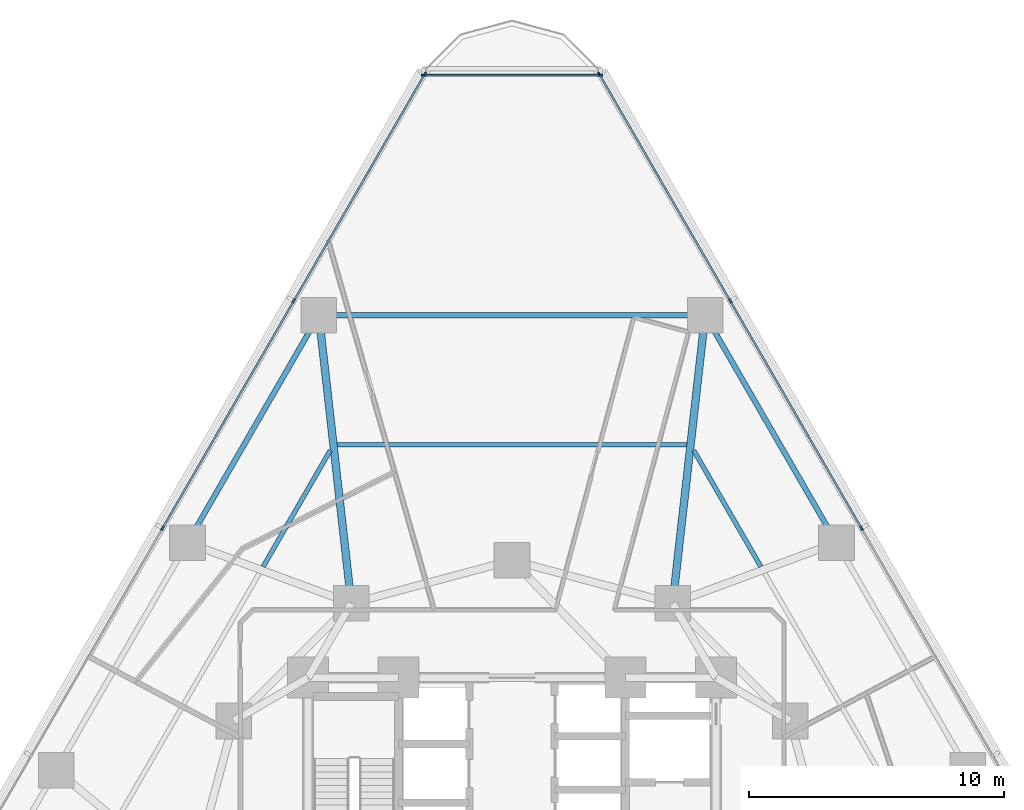
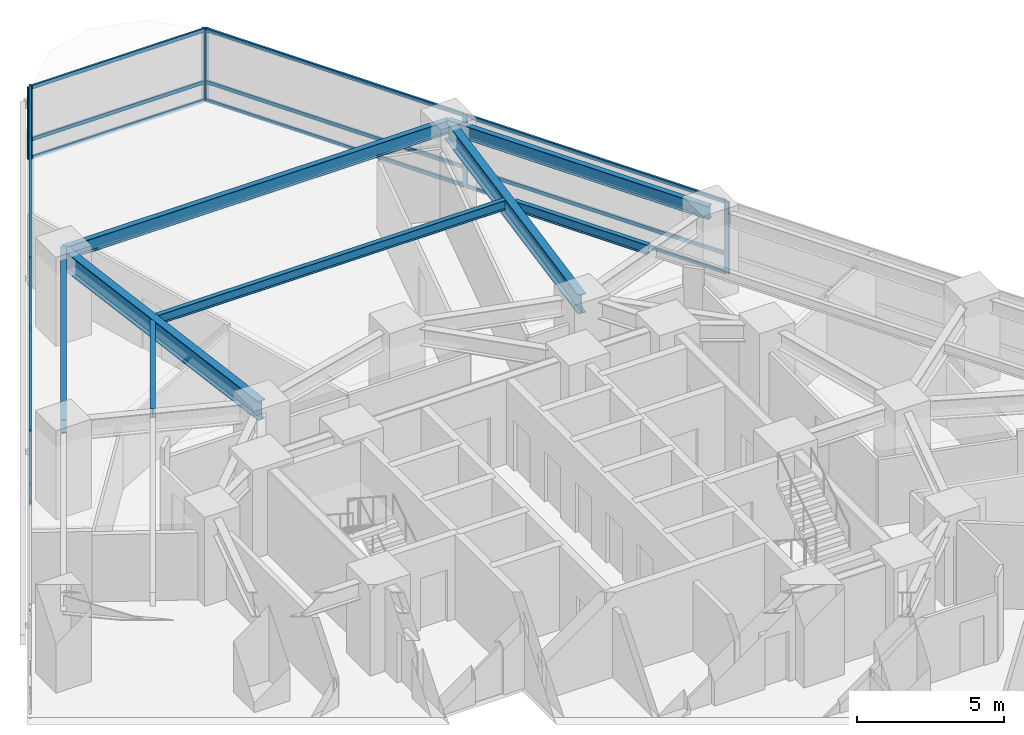
# One storey, part 6 of 16: 23 members, 8 beams, 3 elements without a shape of their own.
"""IFC4 building model written with IfcOpenShell, lengths in metres."""

from ifc_helpers import new_model, si_unit, direction, frame, origin, origin_2d, place, context, subcontext, project, spatial, rectangle, i_section, extrude, material, layer, layer_set, material_profile, profile_set, type_object, element, aggregate, save


model = new_model("IFC4")

# Units and contexts
model_context = context("Model", 3, precision=1e-05, world=origin(), true_north=direction((0.0, 1.0)))
body_context = subcontext(model_context, "Body", "Model", "MODEL_VIEW")
ifc_project = project(units=[si_unit("LENGTHUNIT", "METRE"), si_unit("AREAUNIT", "SQUARE_METRE"), si_unit("VOLUMEUNIT", "CUBIC_METRE"), si_unit("PLANEANGLEUNIT", "RADIAN"), si_unit("MASSUNIT", "GRAM", prefix="KILO")], contexts=[model_context])

# Site, building, storey
site_placement = place(None, origin())
site = spatial("IfcSite", under=ifc_project, at=site_placement, CompositionType="ELEMENT")
building_placement = place(site_placement, origin())
building = spatial("IfcBuilding", under=site, at=building_placement, Name="Terralouvre Media Tower", CompositionType="ELEMENT")
storey_placement = place(building_placement, frame((0.0, 0.0, 44.5)))
storey = spatial("IfcBuildingStorey", under=building, at=storey_placement, Name="L10", CompositionType="ELEMENT", Elevation=44.5)

# Beams
ifc_material_1 = material(Name="Structural steel S355J2", Category="steel")
ifc_material_profile_1 = material_profile(ifc_material_1, i_section(OverallWidth=0.179931640625, OverallDepth=0.39990234375, WebThickness=0.008544921875, FlangeThickness=0.013427734375, at=origin_2d()), Name="IPE 400")
ifc_profile_set_1 = profile_set([ifc_material_profile_1], Name="Structural steel S355J2")
beam_type_1 = type_object("IfcBeamType", Name="Composite Floor Joist J-IPE400 (IPE 400)", PredefinedType="JOIST", material=ifc_profile_set_1)
beam_1_placement = place(storey_placement, frame((9.758544921875, 12.351806640625, 3.300048828125), z_axis=(-0.499984733014, 0.866034218004, 0.0), x_axis=(-0.866034218004, -0.499984733014, 0.0)))
element("IfcBeam", 1, at=beam_1_placement, inside=storey, type_object=beam_type_1, Name="L10 Framing Beam JT-L10-08", PredefinedType="JOIST", context=body_context, shape_type="SweptSolid", body=[
    extrude(i_section(OverallWidth=0.179931640625, OverallDepth=0.39990234375, WebThickness=0.008544921875, FlangeThickness=0.013427734375, at=origin_2d()), origin(), (0.0, 0.0, 1.0), 5.264404296875),
])
beam_2_placement = place(storey_placement, frame((6.85107421875, 17.127685546875, 3.300048828125), z_axis=(-1.0, 0.0, 0.0), x_axis=(0.0, -1.0, 0.0)))
element("IfcBeam", 2, at=beam_2_placement, inside=storey, type_object=beam_type_1, Name="L10 Framing Beam JT-L10-09", PredefinedType="JOIST", context=body_context, shape_type="SweptSolid", body=[
    extrude(i_section(OverallWidth=0.179931640625, OverallDepth=0.39990234375, WebThickness=0.008544921875, FlangeThickness=0.013427734375, at=origin_2d()), origin(), (0.0, 0.0, 1.0), 13.7021484375),
])
beam_3_placement = place(storey_placement, frame((-7.12646484375, 16.910888671875, 3.300048828125), z_axis=(-0.499984733014, -0.866034218004, 0.0), x_axis=(0.866034218004, -0.499984733014, 0.0)))
element("IfcBeam", 3, at=beam_3_placement, inside=storey, type_object=beam_type_1, Name="L10 Framing Beam JT-L10-10", PredefinedType="JOIST", context=body_context, shape_type="SweptSolid", body=[
    extrude(i_section(OverallWidth=0.179931640625, OverallDepth=0.39990234375, WebThickness=0.008544921875, FlangeThickness=0.013427734375, at=origin_2d()), origin(), (0.0, 0.0, 1.0), 5.264404296875),
])

# Curtain wall, members
ifc_material_2 = material(Name="Low-iron laminated double glazing with solar-control coating", Category="glass")
ifc_layer_1 = layer(ifc_material_2, 0.1650390625, Name="Lower Media Tower Unitised Curtain Wall CW-02")
ifc_layer_set_1 = layer_set([ifc_layer_1], Name="Low-iron laminated double glazing with solar-control coating")
curtain_wall_type_1 = type_object("IfcCurtainWallType", Name="Lower Media Tower Unitised Curtain Wall CW-02", PredefinedType="NOTDEFINED", material=ifc_layer_set_1)
curtain_wall_1_placement = place(storey_placement, origin())
curtain_wall_1 = element("IfcCurtainWall", 4, at=curtain_wall_1_placement, inside=storey, type_object=curtain_wall_type_1, Name="L10 Facade Curtain Wall F1", PredefinedType="NOTDEFINED")
ifc_material_3 = material(Name="Anodised extruded aluminium 6063-T6", Category="aluminium")
ifc_material_profile_2 = material_profile(ifc_material_3, rectangle(XDim=0.074951171875, YDim=0.14990234375, at=origin_2d()), Name="ALU 75x150")
ifc_profile_set_2 = profile_set([ifc_material_profile_2], Name="Anodised extruded aluminium 6063-T6")
member_type_1 = type_object("IfcMemberType", Name="Curtain-Wall Horizontal Transom TR-150", PredefinedType="USERDEFINED", material=ifc_profile_set_2)
member_1_placement = place(storey_placement, frame((13.684814453125, 13.890869140625, 0.03759765625), z_axis=(-0.499998717582, 0.866026144187, 0.0), x_axis=(-0.866026144187, -0.499998717582, 0.0)))
member_1 = element("IfcMember", 5, at=member_1_placement, type_object=member_type_1, Name="CW-02 transom 4.1", ObjectType="TRANSOM", PredefinedType="USERDEFINED", context=body_context, shape_type="SweptSolid", body=[
    extrude(rectangle(XDim=0.074951171875, YDim=0.14990234375, at=origin_2d()), origin(), (0.0, 0.0, 1.0), 10.22509765625),
])
member_2_placement = place(storey_placement, frame((13.684814453125, 13.890869140625, 0.800048828125), z_axis=(-0.499998717582, 0.866026144187, 0.0), x_axis=(-0.866026144187, -0.499998717582, 0.0)))
member_2 = element("IfcMember", 6, at=member_2_placement, type_object=member_type_1, Name="CW-02 transom 4.2", ObjectType="TRANSOM", PredefinedType="USERDEFINED", context=body_context, shape_type="SweptSolid", body=[
    extrude(rectangle(XDim=0.074951171875, YDim=0.14990234375, at=origin_2d()), origin(), (0.0, 0.0, 1.0), 10.22509765625),
])
member_3_placement = place(storey_placement, frame((13.684814453125, 13.890869140625, 2.96240234375), z_axis=(-0.499998717582, 0.866026144187, 0.0), x_axis=(-0.866026144187, -0.499998717582, 0.0)))
member_3 = element("IfcMember", 7, at=member_3_placement, type_object=member_type_1, Name="CW-02 transom 4.3", ObjectType="TRANSOM", PredefinedType="USERDEFINED", context=body_context, shape_type="SweptSolid", body=[
    extrude(rectangle(XDim=0.074951171875, YDim=0.14990234375, at=origin_2d()), origin(), (0.0, 0.0, 1.0), 10.22509765625),
])
member_4_placement = place(storey_placement, frame((8.53466796875, 22.81103515625, 0.03759765625), z_axis=(-0.500005272087, 0.866022359922, 0.0), x_axis=(-0.866022359922, -0.500005272087, 0.0)))
member_4 = element("IfcMember", 8, at=member_4_placement, type_object=member_type_1, Name="CW-02 transom 5.1", ObjectType="TRANSOM", PredefinedType="USERDEFINED", context=body_context, shape_type="SweptSolid", body=[
    extrude(rectangle(XDim=0.074951171875, YDim=0.14990234375, at=origin_2d()), origin(), (0.0, 0.0, 1.0), 10.1875),
])
member_5_placement = place(storey_placement, frame((8.53466796875, 22.81103515625, 0.800048828125), z_axis=(-0.500005272087, 0.866022359922, 0.0), x_axis=(-0.866022359922, -0.500005272087, 0.0)))
member_5 = element("IfcMember", 9, at=member_5_placement, type_object=member_type_1, Name="CW-02 transom 5.2", ObjectType="TRANSOM", PredefinedType="USERDEFINED", context=body_context, shape_type="SweptSolid", body=[
    extrude(rectangle(XDim=0.074951171875, YDim=0.14990234375, at=origin_2d()), origin(), (0.0, 0.0, 1.0), 10.1875),
])
member_6_placement = place(storey_placement, frame((8.53466796875, 22.81103515625, 2.96240234375), z_axis=(-0.500005272087, 0.866022359922, 0.0), x_axis=(-0.866022359922, -0.500005272087, 0.0)))
member_6 = element("IfcMember", 10, at=member_6_placement, type_object=member_type_1, Name="CW-02 transom 5.3", ObjectType="TRANSOM", PredefinedType="USERDEFINED", context=body_context, shape_type="SweptSolid", body=[
    extrude(rectangle(XDim=0.074951171875, YDim=0.14990234375, at=origin_2d()), origin(), (0.0, 0.0, 1.0), 10.1875),
])

curtain_wall_2_placement = place(storey_placement, origin())
curtain_wall_2 = element("IfcCurtainWall", 11, at=curtain_wall_2_placement, inside=storey, type_object=curtain_wall_type_1, Name="L10 Facade Curtain Wall F2", PredefinedType="NOTDEFINED")
member_7_placement = place(storey_placement, frame((-3.44091796875, 31.633544921875, 0.03759765625), z_axis=(-0.500005272087, -0.866022359922, 0.0), x_axis=(0.866022359922, -0.500005272087, 0.0)))
member_7 = element("IfcMember", 12, at=member_7_placement, type_object=member_type_1, Name="CW-02 transom 1.1", ObjectType="TRANSOM", PredefinedType="USERDEFINED", context=body_context, shape_type="SweptSolid", body=[
    extrude(rectangle(XDim=0.074951171875, YDim=0.14990234375, at=origin_2d()), origin(), (0.0, 0.0, 1.0), 10.1875),
])
member_8_placement = place(storey_placement, frame((-3.44091796875, 31.633544921875, 0.800048828125), z_axis=(-0.500005272087, -0.866022359922, 0.0), x_axis=(0.866022359922, -0.500005272087, 0.0)))
member_8 = element("IfcMember", 13, at=member_8_placement, type_object=member_type_1, Name="CW-02 transom 1.2", ObjectType="TRANSOM", PredefinedType="USERDEFINED", context=body_context, shape_type="SweptSolid", body=[
    extrude(rectangle(XDim=0.074951171875, YDim=0.14990234375, at=origin_2d()), origin(), (0.0, 0.0, 1.0), 10.1875),
])
member_9_placement = place(storey_placement, frame((-3.44091796875, 31.633544921875, 2.96240234375), z_axis=(-0.500005272087, -0.866022359922, 0.0), x_axis=(0.866022359922, -0.500005272087, 0.0)))
member_9 = element("IfcMember", 14, at=member_9_placement, type_object=member_type_1, Name="CW-02 transom 1.3", ObjectType="TRANSOM", PredefinedType="USERDEFINED", context=body_context, shape_type="SweptSolid", body=[
    extrude(rectangle(XDim=0.074951171875, YDim=0.14990234375, at=origin_2d()), origin(), (0.0, 0.0, 1.0), 10.1875),
])
member_10_placement = place(storey_placement, frame((-8.572265625, 22.74609375, 0.03759765625), z_axis=(-0.499998717582, -0.866026144187, 0.0), x_axis=(0.866026144187, -0.499998717582, 0.0)))
member_10 = element("IfcMember", 15, at=member_10_placement, type_object=member_type_1, Name="CW-02 transom 2.1", ObjectType="TRANSOM", PredefinedType="USERDEFINED", context=body_context, shape_type="SweptSolid", body=[
    extrude(rectangle(XDim=0.074951171875, YDim=0.14990234375, at=origin_2d()), origin(), (0.0, 0.0, 1.0), 10.22509765625),
])
member_11_placement = place(storey_placement, frame((-8.572265625, 22.74609375, 0.800048828125), z_axis=(-0.499998717582, -0.866026144187, 0.0), x_axis=(0.866026144187, -0.499998717582, 0.0)))
member_11 = element("IfcMember", 16, at=member_11_placement, type_object=member_type_1, Name="CW-02 transom 2.2", ObjectType="TRANSOM", PredefinedType="USERDEFINED", context=body_context, shape_type="SweptSolid", body=[
    extrude(rectangle(XDim=0.074951171875, YDim=0.14990234375, at=origin_2d()), origin(), (0.0, 0.0, 1.0), 10.22509765625),
])
member_12_placement = place(storey_placement, frame((-8.572265625, 22.74609375, 2.96240234375), z_axis=(-0.499998717582, -0.866026144187, 0.0), x_axis=(0.866026144187, -0.499998717582, 0.0)))
member_12 = element("IfcMember", 17, at=member_12_placement, type_object=member_type_1, Name="CW-02 transom 2.3", ObjectType="TRANSOM", PredefinedType="USERDEFINED", context=body_context, shape_type="SweptSolid", body=[
    extrude(rectangle(XDim=0.074951171875, YDim=0.14990234375, at=origin_2d()), origin(), (0.0, 0.0, 1.0), 10.22509765625),
])

ifc_material_4 = material(Name="Low-iron laminated double glazing with solar-control coating", Category="glass")
ifc_layer_2 = layer(ifc_material_4, 0.1650390625, Name="Rounded Wind-Corner Curved Glazing CW-04")
ifc_layer_set_2 = layer_set([ifc_layer_2], Name="Low-iron laminated double glazing with solar-control coating")
curtain_wall_type_2 = type_object("IfcCurtainWallType", Name="Rounded Wind-Corner Curved Glazing CW-04", PredefinedType="NOTDEFINED", material=ifc_layer_set_2)
curtain_wall_3_placement = place(storey_placement, origin())
curtain_wall_3 = element("IfcCurtainWall", 18, at=curtain_wall_3_placement, inside=storey, type_object=curtain_wall_type_2, Name="L10 Rounded Wind-Corner Curtain Wall C2", PredefinedType="NOTDEFINED")
member_13_placement = place(storey_placement, frame((3.432373046875, 31.61865234375, 0.03759765625), z_axis=(-1.0, 0.0, 0.0), x_axis=(0.0, -1.0, 0.0)))
member_13 = element("IfcMember", 19, at=member_13_placement, type_object=member_type_1, Name="CW-04 transom 1.1", ObjectType="TRANSOM", PredefinedType="USERDEFINED", context=body_context, shape_type="SweptSolid", body=[
    extrude(rectangle(XDim=0.074951171875, YDim=0.14990234375, at=origin_2d()), origin(), (0.0, 0.0, 1.0), 6.86474609375),
])
member_14_placement = place(storey_placement, frame((3.432373046875, 31.61865234375, 0.800048828125), z_axis=(-1.0, 0.0, 0.0), x_axis=(0.0, -1.0, 0.0)))
member_14 = element("IfcMember", 20, at=member_14_placement, type_object=member_type_1, Name="CW-04 transom 1.2", ObjectType="TRANSOM", PredefinedType="USERDEFINED", context=body_context, shape_type="SweptSolid", body=[
    extrude(rectangle(XDim=0.074951171875, YDim=0.14990234375, at=origin_2d()), origin(), (0.0, 0.0, 1.0), 6.86474609375),
])
member_15_placement = place(storey_placement, frame((3.432373046875, 31.61865234375, 2.96240234375), z_axis=(-1.0, 0.0, 0.0), x_axis=(0.0, -1.0, 0.0)))
member_15 = element("IfcMember", 21, at=member_15_placement, type_object=member_type_1, Name="CW-04 transom 1.3", ObjectType="TRANSOM", PredefinedType="USERDEFINED", context=body_context, shape_type="SweptSolid", body=[
    extrude(rectangle(XDim=0.074951171875, YDim=0.14990234375, at=origin_2d()), origin(), (0.0, 0.0, 1.0), 6.86474609375),
])

# Member
ifc_material_5 = material(Name="Anodised extruded aluminium 6063-T6", Category="aluminium")
ifc_material_profile_3 = material_profile(ifc_material_5, rectangle(XDim=0.074951171875, YDim=0.179931640625, at=origin_2d()), Name="ALU 75x180")
ifc_profile_set_3 = profile_set([ifc_material_profile_3], Name="Anodised extruded aluminium 6063-T6")
member_type_2 = type_object("IfcMemberType", Name="Curtain-Wall Vertical Mullion ML-180", PredefinedType="MULLION", material=ifc_profile_set_3)
member_16_placement = place(storey_placement, frame((13.703369140625, 13.8583984375, 0.0), z_axis=(0.0, 0.0, 1.0), x_axis=(-0.866025412057, -0.499999985671, 0.0)))
member_16 = element("IfcMember", 22, at=member_16_placement, type_object=member_type_2, Name="CW-02 mullion 4", PredefinedType="MULLION", context=body_context, shape_type="SweptSolid", body=[
    extrude(rectangle(XDim=0.074951171875, YDim=0.179931640625, at=origin_2d()), origin(), (0.0, 0.0, 1.0), 3.0),
])

member_17_placement = place(storey_placement, frame((8.553466796875, 22.778564453125, 0.0), z_axis=(0.0, 0.0, 1.0), x_axis=(-0.866025412057, -0.499999985671, 0.0)))
member_17 = element("IfcMember", 23, at=member_17_placement, type_object=member_type_2, Name="CW-02 mullion 5", PredefinedType="MULLION", context=body_context, shape_type="SweptSolid", body=[
    extrude(rectangle(XDim=0.074951171875, YDim=0.179931640625, at=origin_2d()), origin(), (0.0, 0.0, 1.0), 3.0),
])

member_18_placement = place(storey_placement, frame((3.422119140625, 31.666015625, 0.0), z_axis=(0.0, 0.0, 1.0), x_axis=(-0.866025412057, -0.499999985671, 0.0)))
member_18 = element("IfcMember", 24, at=member_18_placement, type_object=member_type_2, Name="CW-02 mullion 6", PredefinedType="MULLION", context=body_context, shape_type="SweptSolid", body=[
    extrude(rectangle(XDim=0.074951171875, YDim=0.179931640625, at=origin_2d()), origin(), (0.0, 0.0, 1.0), 3.0),
])

aggregate(curtain_wall_1, [member_16, member_17, member_18, member_1, member_2, member_3, member_4, member_5, member_6])

member_19_placement = place(storey_placement, frame((-3.422119140625, 31.666015625, 0.0), z_axis=(0.0, 0.0, 1.0), x_axis=(0.866025412057, -0.499999985671, 0.0)))
member_19 = element("IfcMember", 25, at=member_19_placement, type_object=member_type_2, Name="CW-02 mullion 1", PredefinedType="MULLION", context=body_context, shape_type="SweptSolid", body=[
    extrude(rectangle(XDim=0.074951171875, YDim=0.179931640625, at=origin_2d()), origin(), (0.0, 0.0, 1.0), 3.0),
])

member_20_placement = place(storey_placement, frame((-8.553466796875, 22.778564453125, 0.0), z_axis=(0.0, 0.0, 1.0), x_axis=(0.866025412057, -0.499999985671, 0.0)))
member_20 = element("IfcMember", 26, at=member_20_placement, type_object=member_type_2, Name="CW-02 mullion 2", PredefinedType="MULLION", context=body_context, shape_type="SweptSolid", body=[
    extrude(rectangle(XDim=0.074951171875, YDim=0.179931640625, at=origin_2d()), origin(), (0.0, 0.0, 1.0), 3.0),
])

member_21_placement = place(storey_placement, frame((-13.703369140625, 13.8583984375, 0.0), z_axis=(0.0, 0.0, 1.0), x_axis=(0.866025412057, -0.499999985671, 0.0)))
member_21 = element("IfcMember", 27, at=member_21_placement, type_object=member_type_2, Name="CW-02 mullion 3", PredefinedType="MULLION", context=body_context, shape_type="SweptSolid", body=[
    extrude(rectangle(XDim=0.074951171875, YDim=0.179931640625, at=origin_2d()), origin(), (0.0, 0.0, 1.0), 3.0),
])

aggregate(curtain_wall_2, [member_19, member_20, member_21, member_7, member_8, member_9, member_10, member_11, member_12])

member_22_placement = place(storey_placement, frame((3.469970703125, 31.61865234375, 0.0), z_axis=(0.0, 0.0, 1.0), x_axis=(0.0, -1.0, 0.0)))
member_22 = element("IfcMember", 28, at=member_22_placement, type_object=member_type_2, Name="CW-04 mullion 1", PredefinedType="MULLION", context=body_context, shape_type="SweptSolid", body=[
    extrude(rectangle(XDim=0.074951171875, YDim=0.179931640625, at=origin_2d()), origin(), (0.0, 0.0, 1.0), 3.0),
])

member_23_placement = place(storey_placement, frame((-3.469970703125, 31.61865234375, 0.0), z_axis=(0.0, 0.0, 1.0), x_axis=(0.0, -1.0, 0.0)))
member_23 = element("IfcMember", 29, at=member_23_placement, type_object=member_type_2, Name="CW-04 mullion 2", PredefinedType="MULLION", context=body_context, shape_type="SweptSolid", body=[
    extrude(rectangle(XDim=0.074951171875, YDim=0.179931640625, at=origin_2d()), origin(), (0.0, 0.0, 1.0), 3.0),
])

aggregate(curtain_wall_3, [member_22, member_23, member_13, member_14, member_15])

# Beams
ifc_material_6 = material(Name="Structural steel S355J2", Category="steel")
ifc_material_profile_4 = material_profile(ifc_material_6, i_section(OverallWidth=0.2099609375, OverallDepth=0.550048828125, WebThickness=0.010986328125, FlangeThickness=0.01708984375, at=origin_2d()), Name="IPE 550")
ifc_profile_set_4 = profile_set([ifc_material_profile_4], Name="Structural steel S355J2")
beam_type_2 = type_object("IfcBeamType", Name="Perimeter Spandrel Beam SPB-550 (IPE 550)", PredefinedType="SPANDREL", material=ifc_profile_set_4)
beam_4_placement = place(storey_placement, frame((12.724853515625, 13.29345703125, 3.22509765625), z_axis=(-0.499998765615, 0.866026116456, 0.0), x_axis=(-0.866026116456, -0.499998765615, 0.0)))
element("IfcBeam", 30, at=beam_4_placement, inside=storey, type_object=beam_type_2, Name="L10 Framing Beam BM-L10-PR08", PredefinedType="SPANDREL", context=body_context, shape_type="SweptSolid", body=[
    extrude(i_section(OverallWidth=0.2099609375, OverallDepth=0.550048828125, WebThickness=0.010986328125, FlangeThickness=0.01708984375, at=origin_2d()), origin(), (0.0, 0.0, 1.0), 10.2998046875),
])
beam_5_placement = place(storey_placement, frame((7.574951171875, 22.21337890625, 3.22509765625), z_axis=(-1.0, 0.0, 0.0), x_axis=(0.0, -1.0, 0.0)))
element("IfcBeam", 31, at=beam_5_placement, inside=storey, type_object=beam_type_2, Name="L10 Framing Beam BM-L10-PR09", PredefinedType="SPANDREL", context=body_context, shape_type="SweptSolid", body=[
    extrude(i_section(OverallWidth=0.2099609375, OverallDepth=0.550048828125, WebThickness=0.010986328125, FlangeThickness=0.01708984375, at=origin_2d()), origin(), (0.0, 0.0, 1.0), 15.14990234375),
])
beam_6_placement = place(storey_placement, frame((-7.574951171875, 22.21337890625, 3.22509765625), z_axis=(-0.499998765615, -0.866026116456, 0.0), x_axis=(0.866026116456, -0.499998765615, 0.0)))
element("IfcBeam", 32, at=beam_6_placement, inside=storey, type_object=beam_type_2, Name="L10 Framing Beam BM-L10-PR10", PredefinedType="SPANDREL", context=body_context, shape_type="SweptSolid", body=[
    extrude(i_section(OverallWidth=0.2099609375, OverallDepth=0.550048828125, WebThickness=0.010986328125, FlangeThickness=0.01708984375, at=origin_2d()), origin(), (0.0, 0.0, 1.0), 10.2998046875),
])
ifc_material_7 = material(Name="Structural steel S460M", Category="steel")
ifc_material_profile_5 = material_profile(ifc_material_7, i_section(OverallWidth=0.300048828125, OverallDepth=0.800048828125, WebThickness=0.017578125, FlangeThickness=0.032958984375, at=origin_2d()), Name="HEB 800")
ifc_profile_set_5 = profile_set([ifc_material_profile_5], Name="Structural steel S460M")
beam_type_3 = type_object("IfcBeamType", Name="Primary Floor Girder B-HEB800 (HEB 800)", PredefinedType="BEAM", material=ifc_profile_set_5)
for number, where, z_axis, x_axis, name in (
    (33, (6.300048828125, 10.911865234375, 3.10009765625), (0.112097104782, 0.993697257267, 0.0), (-0.993697257267, 0.112097104782, 0.0), "L10 Framing Beam BM-L10-RD09"),
    (34, (-6.300048828125, 10.911865234375, 3.10009765625), (-0.112097104782, 0.993697257267, 0.0), (-0.993697257267, -0.112097104782, 0.0), "L10 Framing Beam BM-L10-RD10"),
):
    element("IfcBeam", number, at=place(storey_placement, frame(where, z_axis=z_axis, x_axis=x_axis)), inside=storey, type_object=beam_type_3, Name=name, PredefinedType="BEAM", context=body_context, shape_type="SweptSolid", body=[
        extrude(i_section(OverallWidth=0.300048828125, OverallDepth=0.800048828125, WebThickness=0.017578125, FlangeThickness=0.032958984375, at=origin_2d()), origin(), (0.0, 0.0, 1.0), 11.373291015625),
    ])

save(model, "model.ifc")
